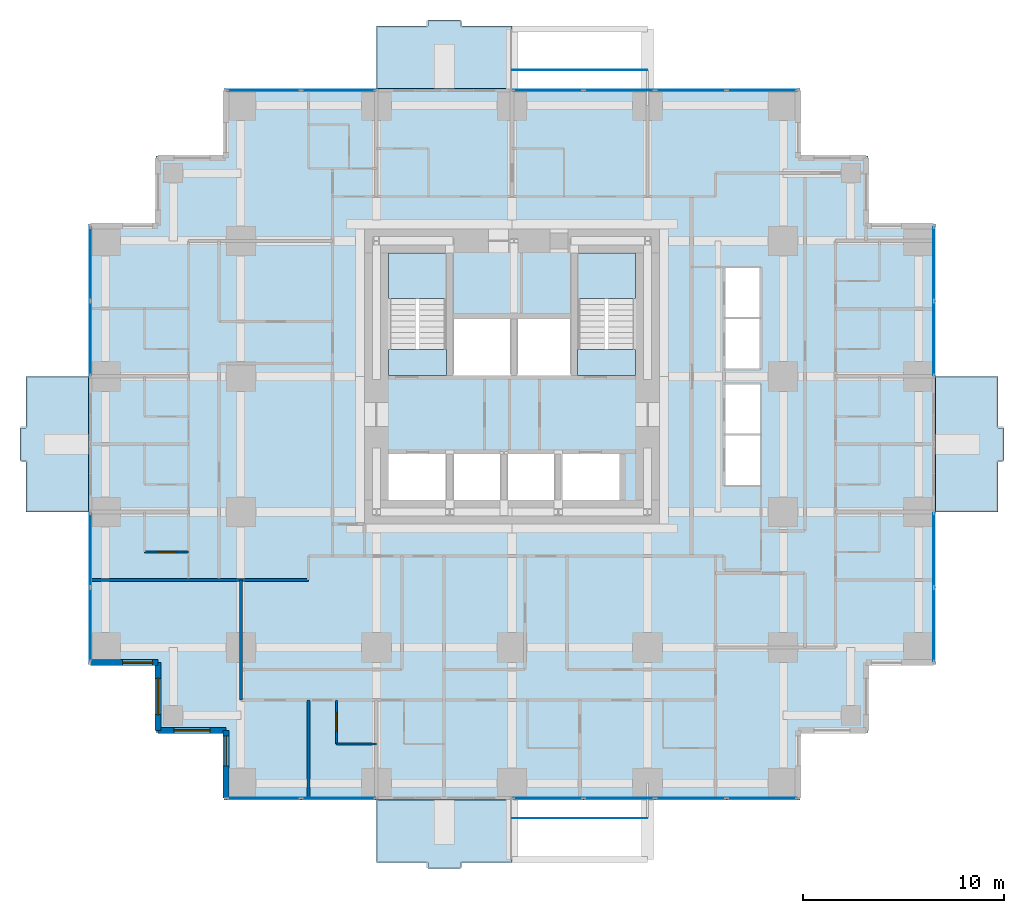
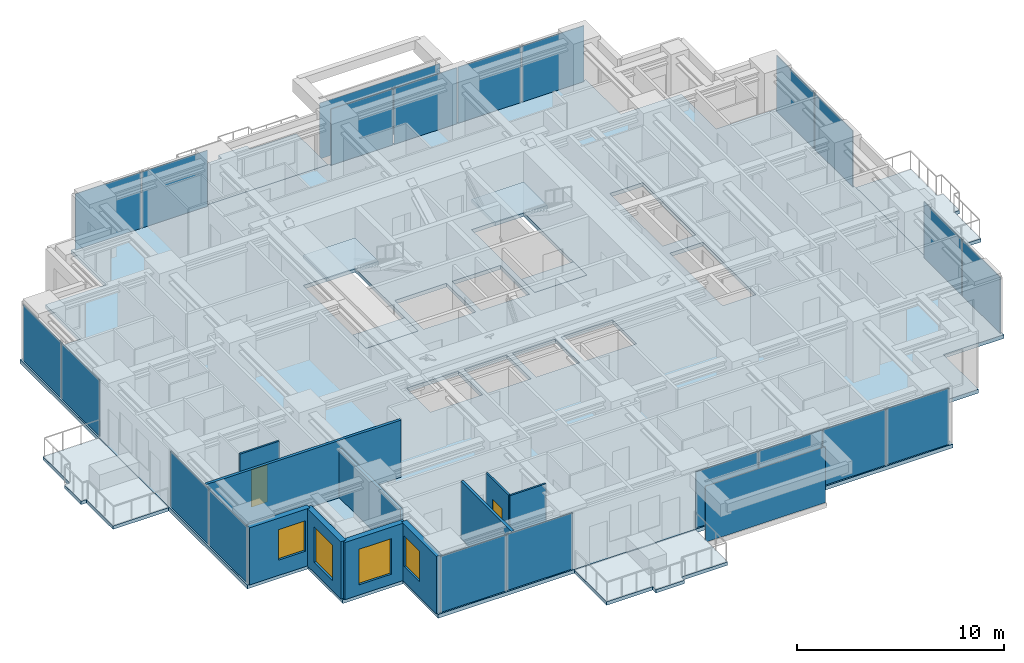
# One storey, part 6 of 13: 22 plates, 10 walls, 9 slabs, 4 windows, 2 doors, 6 openings, 10 elements without a shape of their own.
"""IFC4 building model written with IfcOpenShell, lengths in metres."""

from ifc_helpers import new_model, si_unit, direction, frame, frame_2d, origin, origin_2d, place, context, subcontext, project, spatial, polyline, rectangle, outline, extrude, material, layer, layer_set, type_object, element, fill, aggregate, save


model = new_model("IFC4")

# Units and contexts
model_context = context("Model", 3, precision=1e-05, world=origin(), true_north=direction((0.0, 1.0)))
body_context = subcontext(model_context, "Body", "Model", "MODEL_VIEW")
ifc_project = project(units=[si_unit("LENGTHUNIT", "METRE"), si_unit("AREAUNIT", "SQUARE_METRE"), si_unit("VOLUMEUNIT", "CUBIC_METRE"), si_unit("PLANEANGLEUNIT", "RADIAN"), si_unit("MASSUNIT", "GRAM", prefix="KILO")], contexts=[model_context])

# Site, building, storey
site_placement = place(None, origin())
site = spatial("IfcSite", under=ifc_project, at=site_placement, CompositionType="ELEMENT")
building_placement = place(site_placement, origin())
building = spatial("IfcBuilding", under=site, at=building_placement, Name="Nyansa Garden Tower", CompositionType="ELEMENT")
storey_placement = place(building_placement, frame((0.0, 0.0, 130.5)))
storey = spatial("IfcBuildingStorey", under=building, at=storey_placement, Name="L35", CompositionType="ELEMENT", Elevation=130.5)

# Slabs
ifc_material_1 = material(Name="Concrete C40/50", Category="concrete")
ifc_layer_1 = layer(ifc_material_1, 0.199951171875)
ifc_layer_set_1 = layer_set([ifc_layer_1], Name="Balcony slab BS200")
slab_type_1 = type_object("IfcSlabType", Name="Balcony slab BS200", PredefinedType="FLOOR", material=ifc_layer_set_1)
slab_1_placement = place(storey_placement, frame((0.0, 0.0, -0.239990234375)))
element("IfcSlab", 1, at=slab_1_placement, inside=storey, type_object=slab_type_1, Name="Balcony L35 S", PredefinedType="FLOOR", context=body_context, shape_type="SweptSolid", body=[
    extrude(outline(polyline([(13.5, -0.85009765625), (20.25, -0.85009765625), (20.25, -3.949951171875), (17.675048828125, -3.949951171875), (17.675048828125, -4.25), (16.074951171875, -4.25), (16.074951171875, -3.949951171875), (13.5, -3.949951171875), (13.5, -0.85009765625)])), origin(), (0.0, 0.0, 1.0), 0.199951171875),
])
slab_2_placement = place(storey_placement, frame((0.0, 0.0, -0.239990234375)))
element("IfcSlab", 2, at=slab_2_placement, inside=storey, type_object=slab_type_1, Name="Balcony L35 E", PredefinedType="FLOOR", context=body_context, shape_type="SweptSolid", body=[
    extrude(outline(polyline([(41.35009765625, 13.5), (41.35009765625, 20.25), (44.449951171875, 20.25), (44.449951171875, 17.675048828125), (44.75, 17.675048828125), (44.75, 16.074951171875), (44.449951171875, 16.074951171875), (44.449951171875, 13.5), (41.35009765625, 13.5)])), origin(), (0.0, 0.0, 1.0), 0.199951171875),
])
slab_3_placement = place(storey_placement, frame((0.0, 0.0, -0.239990234375)))
element("IfcSlab", 3, at=slab_3_placement, inside=storey, type_object=slab_type_1, Name="Balcony L35 N", PredefinedType="FLOOR", context=body_context, shape_type="SweptSolid", body=[
    extrude(outline(polyline([(13.5, 34.60009765625), (20.25, 34.60009765625), (20.25, 37.699951171875), (17.675048828125, 37.699951171875), (17.675048828125, 38.0), (16.074951171875, 38.0), (16.074951171875, 37.699951171875), (13.5, 37.699951171875), (13.5, 34.60009765625)])), origin(), (0.0, 0.0, 1.0), 0.199951171875),
])
slab_4_placement = place(storey_placement, frame((0.0, 0.0, -0.239990234375)))
element("IfcSlab", 4, at=slab_4_placement, inside=storey, type_object=slab_type_1, Name="Balcony L35 W", PredefinedType="FLOOR", context=body_context, shape_type="SweptSolid", body=[
    extrude(outline(polyline([(-0.85009765625, 13.5), (-0.85009765625, 20.25), (-3.949951171875, 20.25), (-3.949951171875, 17.675048828125), (-4.25, 17.675048828125), (-4.25, 16.074951171875), (-3.949951171875, 16.074951171875), (-3.949951171875, 13.5), (-0.85009765625, 13.5)])), origin(), (0.0, 0.0, 1.0), 0.199951171875),
])

# Curtain wall, plates
ifc_material_2 = material(Name="Black anodised aluminium, dark tinted double glazing", Category="aluminium")
curtain_wall_type = type_object("IfcCurtainWallType", Name="Inner skin curtain wall ISW-B", PredefinedType="USERDEFINED", material=ifc_material_2)
curtain_wall_1_placement = place(storey_placement, origin())
curtain_wall_1 = element("IfcCurtainWall", 5, at=curtain_wall_1_placement, inside=storey, type_object=curtain_wall_type, Name="Inner skin curtain wall L35 E", ObjectType="UNITISED CURTAIN WALL", PredefinedType="USERDEFINED")
ifc_material_3 = material(Name="Dark tinted laminated double glazing", Category="glass")
ifc_layer_2 = layer(ifc_material_3, 0.035888671875)
ifc_layer_set_2 = layer_set([ifc_layer_2], Name="Dark tinted vision panel VP-B")
plate_type_1 = type_object("IfcPlateType", Name="Dark tinted vision panel VP-B", PredefinedType="CURTAIN_PANEL", material=ifc_layer_set_2)
plate_1_placement = place(storey_placement, frame((41.25, 7.891357421875, 0.0), z_axis=(0.0, 0.0, 1.0), x_axis=(0.0, 1.0, 0.0)))
plate_1 = element("IfcPlate", 6, at=plate_1_placement, type_object=plate_type_1, Name="ISW-B panel 1", PredefinedType="CURTAIN_PANEL", context=body_context, shape_type="SweptSolid", body=[
    extrude(rectangle(XDim=3.652587890625, YDim=0.035888671875, at=origin_2d()), origin(), (0.0, 0.0, 1.0), 3.31005859375),
])
plate_2_placement = place(storey_placement, frame((41.25, 11.608642578125, 0.0), z_axis=(0.0, 0.0, 1.0), x_axis=(0.0, 1.0, 0.0)))
plate_2 = element("IfcPlate", 7, at=plate_2_placement, type_object=plate_type_1, Name="ISW-B panel 2", PredefinedType="CURTAIN_PANEL", context=body_context, shape_type="SweptSolid", body=[
    extrude(rectangle(XDim=3.652587890625, YDim=0.035888671875, at=origin_2d()), origin(), (0.0, 0.0, 1.0), 3.31005859375),
])
aggregate(curtain_wall_1, [plate_1, plate_2])

curtain_wall_2_placement = place(storey_placement, origin())
curtain_wall_2 = element("IfcCurtainWall", 8, at=curtain_wall_2_placement, inside=storey, type_object=curtain_wall_type, Name="Inner skin curtain wall L35 E", ObjectType="UNITISED CURTAIN WALL", PredefinedType="USERDEFINED")
plate_3_placement = place(storey_placement, frame((41.25, 22.141357421875, 0.0), z_axis=(0.0, 0.0, 1.0), x_axis=(0.0, 1.0, 0.0)))
plate_3 = element("IfcPlate", 9, at=plate_3_placement, type_object=plate_type_1, Name="ISW-B panel 1", PredefinedType="CURTAIN_PANEL", context=body_context, shape_type="SweptSolid", body=[
    extrude(rectangle(XDim=3.652587890625, YDim=0.035888671875, at=origin_2d()), origin(), (0.0, 0.0, 1.0), 3.31005859375),
])
plate_4_placement = place(storey_placement, frame((41.25, 25.858642578125, 0.0), z_axis=(0.0, 0.0, 1.0), x_axis=(0.0, 1.0, 0.0)))
plate_4 = element("IfcPlate", 10, at=plate_4_placement, type_object=plate_type_1, Name="ISW-B panel 2", PredefinedType="CURTAIN_PANEL", context=body_context, shape_type="SweptSolid", body=[
    extrude(rectangle(XDim=3.652587890625, YDim=0.035888671875, at=origin_2d()), origin(), (0.0, 0.0, 1.0), 3.31005859375),
])
aggregate(curtain_wall_2, [plate_3, plate_4])

curtain_wall_3_placement = place(storey_placement, origin())
curtain_wall_3 = element("IfcCurtainWall", 11, at=curtain_wall_3_placement, inside=storey, type_object=curtain_wall_type, Name="Inner skin curtain wall L35 N", ObjectType="UNITISED CURTAIN WALL", PredefinedType="USERDEFINED")
plate_5_placement = place(storey_placement, frame((11.608642578125, 34.5, 0.0), z_axis=(0.0, 0.0, 1.0), x_axis=(-1.0, 0.0, 0.0)))
plate_5 = element("IfcPlate", 12, at=plate_5_placement, type_object=plate_type_1, Name="ISW-B panel 1", PredefinedType="CURTAIN_PANEL", context=body_context, shape_type="SweptSolid", body=[
    extrude(rectangle(XDim=3.652587890625, YDim=0.035888671875, at=origin_2d()), origin(), (0.0, 0.0, 1.0), 3.31005859375),
])
plate_6_placement = place(storey_placement, frame((7.891357421875, 34.5, 0.0), z_axis=(0.0, 0.0, 1.0), x_axis=(-1.0, 0.0, 0.0)))
plate_6 = element("IfcPlate", 13, at=plate_6_placement, type_object=plate_type_1, Name="ISW-B panel 2", PredefinedType="CURTAIN_PANEL", context=body_context, shape_type="SweptSolid", body=[
    extrude(rectangle(XDim=3.652587890625, YDim=0.035888671875, at=origin_2d()), origin(), (0.0, 0.0, 1.0), 3.31005859375),
])
aggregate(curtain_wall_3, [plate_5, plate_6])

curtain_wall_4_placement = place(storey_placement, origin())
curtain_wall_4 = element("IfcCurtainWall", 14, at=curtain_wall_4_placement, inside=storey, type_object=curtain_wall_type, Name="Inner skin curtain wall L35 N", ObjectType="UNITISED CURTAIN WALL", PredefinedType="USERDEFINED")
plate_7_placement = place(storey_placement, frame((32.702392578125, 34.5, 0.0), z_axis=(0.0, 0.0, 1.0), x_axis=(-1.0, 0.0, 0.0)))
plate_7 = element("IfcPlate", 15, at=plate_7_placement, type_object=plate_type_1, Name="ISW-B panel 1", PredefinedType="CURTAIN_PANEL", context=body_context, shape_type="SweptSolid", body=[
    extrude(rectangle(XDim=3.465087890625, YDim=0.035888671875, at=origin_2d()), origin(), (0.0, 0.0, 1.0), 3.31005859375),
])
plate_8_placement = place(storey_placement, frame((29.15625, 34.5, 0.0), z_axis=(0.0, 0.0, 1.0), x_axis=(-1.0, 0.0, 0.0)))
plate_8 = element("IfcPlate", 16, at=plate_8_placement, type_object=plate_type_1, Name="ISW-B panel 2", PredefinedType="CURTAIN_PANEL", context=body_context, shape_type="SweptSolid", body=[
    extrude(rectangle(XDim=3.49755859375, YDim=0.035888671875, at=origin_2d()), origin(), (0.0, 0.0, 1.0), 3.31005859375),
])
plate_9_placement = place(storey_placement, frame((25.59375, 34.5, 0.0), z_axis=(0.0, 0.0, 1.0), x_axis=(-1.0, 0.0, 0.0)))
plate_9 = element("IfcPlate", 17, at=plate_9_placement, type_object=plate_type_1, Name="ISW-B panel 3", PredefinedType="CURTAIN_PANEL", context=body_context, shape_type="SweptSolid", body=[
    extrude(rectangle(XDim=3.49755859375, YDim=0.035888671875, at=origin_2d()), origin(), (0.0, 0.0, 1.0), 3.31005859375),
])
plate_10_placement = place(storey_placement, frame((22.047607421875, 34.5, 0.0), z_axis=(0.0, 0.0, 1.0), x_axis=(-1.0, 0.0, 0.0)))
plate_10 = element("IfcPlate", 18, at=plate_10_placement, type_object=plate_type_1, Name="ISW-B panel 4", PredefinedType="CURTAIN_PANEL", context=body_context, shape_type="SweptSolid", body=[
    extrude(rectangle(XDim=3.465087890625, YDim=0.035888671875, at=origin_2d()), origin(), (0.0, 0.0, 1.0), 3.31005859375),
])
aggregate(curtain_wall_4, [plate_7, plate_8, plate_9, plate_10])

curtain_wall_5_placement = place(storey_placement, origin())
curtain_wall_5 = element("IfcCurtainWall", 19, at=curtain_wall_5_placement, inside=storey, type_object=curtain_wall_type, Name="Inner skin curtain wall L35 W", ObjectType="UNITISED CURTAIN WALL", PredefinedType="USERDEFINED")
plate_11_placement = place(storey_placement, frame((-0.75, 11.608642578125, 0.0), z_axis=(0.0, 0.0, 1.0), x_axis=(0.0, -1.0, 0.0)))
plate_11 = element("IfcPlate", 20, at=plate_11_placement, type_object=plate_type_1, Name="ISW-B panel 1", PredefinedType="CURTAIN_PANEL", context=body_context, shape_type="SweptSolid", body=[
    extrude(rectangle(XDim=3.652587890625, YDim=0.035888671875, at=origin_2d()), origin(), (0.0, 0.0, 1.0), 3.31005859375),
])
plate_12_placement = place(storey_placement, frame((-0.75, 7.891357421875, 0.0), z_axis=(0.0, 0.0, 1.0), x_axis=(0.0, -1.0, 0.0)))
plate_12 = element("IfcPlate", 21, at=plate_12_placement, type_object=plate_type_1, Name="ISW-B panel 2", PredefinedType="CURTAIN_PANEL", context=body_context, shape_type="SweptSolid", body=[
    extrude(rectangle(XDim=3.652587890625, YDim=0.035888671875, at=origin_2d()), origin(), (0.0, 0.0, 1.0), 3.31005859375),
])
aggregate(curtain_wall_5, [plate_11, plate_12])

curtain_wall_6_placement = place(storey_placement, origin())
curtain_wall_6 = element("IfcCurtainWall", 22, at=curtain_wall_6_placement, inside=storey, type_object=curtain_wall_type, Name="Inner skin curtain wall L35 W", ObjectType="UNITISED CURTAIN WALL", PredefinedType="USERDEFINED")
plate_13_placement = place(storey_placement, frame((-0.75, 25.858642578125, 0.0), z_axis=(0.0, 0.0, 1.0), x_axis=(0.0, -1.0, 0.0)))
plate_13 = element("IfcPlate", 23, at=plate_13_placement, type_object=plate_type_1, Name="ISW-B panel 1", PredefinedType="CURTAIN_PANEL", context=body_context, shape_type="SweptSolid", body=[
    extrude(rectangle(XDim=3.652587890625, YDim=0.035888671875, at=origin_2d()), origin(), (0.0, 0.0, 1.0), 3.31005859375),
])
plate_14_placement = place(storey_placement, frame((-0.75, 22.141357421875, 0.0), z_axis=(0.0, 0.0, 1.0), x_axis=(0.0, -1.0, 0.0)))
plate_14 = element("IfcPlate", 24, at=plate_14_placement, type_object=plate_type_1, Name="ISW-B panel 2", PredefinedType="CURTAIN_PANEL", context=body_context, shape_type="SweptSolid", body=[
    extrude(rectangle(XDim=3.652587890625, YDim=0.035888671875, at=origin_2d()), origin(), (0.0, 0.0, 1.0), 3.31005859375),
])
aggregate(curtain_wall_6, [plate_13, plate_14])

curtain_wall_7_placement = place(storey_placement, origin())
curtain_wall_7 = element("IfcCurtainWall", 25, at=curtain_wall_7_placement, inside=storey, type_object=curtain_wall_type, Name="Inner skin curtain wall L35 S", ObjectType="UNITISED CURTAIN WALL", PredefinedType="USERDEFINED")
plate_15_placement = place(storey_placement, frame((7.891357421875, -0.75, 0.0), z_axis=(0.0, 0.0, 1.0), x_axis=(1.0, 0.0, 0.0)))
plate_15 = element("IfcPlate", 26, at=plate_15_placement, type_object=plate_type_1, Name="ISW-B panel 1", PredefinedType="CURTAIN_PANEL", context=body_context, shape_type="SweptSolid", body=[
    extrude(rectangle(XDim=3.652587890625, YDim=0.035888671875, at=origin_2d()), origin(), (0.0, 0.0, 1.0), 3.31005859375),
])
plate_16_placement = place(storey_placement, frame((11.608642578125, -0.75, 0.0), z_axis=(0.0, 0.0, 1.0), x_axis=(1.0, 0.0, 0.0)))
plate_16 = element("IfcPlate", 27, at=plate_16_placement, type_object=plate_type_1, Name="ISW-B panel 2", PredefinedType="CURTAIN_PANEL", context=body_context, shape_type="SweptSolid", body=[
    extrude(rectangle(XDim=3.652587890625, YDim=0.035888671875, at=origin_2d()), origin(), (0.0, 0.0, 1.0), 3.31005859375),
])
aggregate(curtain_wall_7, [plate_15, plate_16])

curtain_wall_8_placement = place(storey_placement, origin())
curtain_wall_8 = element("IfcCurtainWall", 28, at=curtain_wall_8_placement, inside=storey, type_object=curtain_wall_type, Name="Inner skin curtain wall L35 S", ObjectType="UNITISED CURTAIN WALL", PredefinedType="USERDEFINED")
plate_17_placement = place(storey_placement, frame((22.047607421875, -0.75, 0.0), z_axis=(0.0, 0.0, 1.0), x_axis=(1.0, 0.0, 0.0)))
plate_17 = element("IfcPlate", 29, at=plate_17_placement, type_object=plate_type_1, Name="ISW-B panel 1", PredefinedType="CURTAIN_PANEL", context=body_context, shape_type="SweptSolid", body=[
    extrude(rectangle(XDim=3.465087890625, YDim=0.035888671875, at=origin_2d()), origin(), (0.0, 0.0, 1.0), 3.31005859375),
])
plate_18_placement = place(storey_placement, frame((25.59375, -0.75, 0.0), z_axis=(0.0, 0.0, 1.0), x_axis=(1.0, 0.0, 0.0)))
plate_18 = element("IfcPlate", 30, at=plate_18_placement, type_object=plate_type_1, Name="ISW-B panel 2", PredefinedType="CURTAIN_PANEL", context=body_context, shape_type="SweptSolid", body=[
    extrude(rectangle(XDim=3.49755859375, YDim=0.035888671875, at=origin_2d()), origin(), (0.0, 0.0, 1.0), 3.31005859375),
])
plate_19_placement = place(storey_placement, frame((29.15625, -0.75, 0.0), z_axis=(0.0, 0.0, 1.0), x_axis=(1.0, 0.0, 0.0)))
plate_19 = element("IfcPlate", 31, at=plate_19_placement, type_object=plate_type_1, Name="ISW-B panel 3", PredefinedType="CURTAIN_PANEL", context=body_context, shape_type="SweptSolid", body=[
    extrude(rectangle(XDim=3.49755859375, YDim=0.035888671875, at=origin_2d()), origin(), (0.0, 0.0, 1.0), 3.31005859375),
])
plate_20_placement = place(storey_placement, frame((32.702392578125, -0.75, 0.0), z_axis=(0.0, 0.0, 1.0), x_axis=(1.0, 0.0, 0.0)))
plate_20 = element("IfcPlate", 32, at=plate_20_placement, type_object=plate_type_1, Name="ISW-B panel 4", PredefinedType="CURTAIN_PANEL", context=body_context, shape_type="SweptSolid", body=[
    extrude(rectangle(XDim=3.465087890625, YDim=0.035888671875, at=origin_2d()), origin(), (0.0, 0.0, 1.0), 3.31005859375),
])
aggregate(curtain_wall_8, [plate_17, plate_18, plate_19, plate_20])

# Slab
ifc_material_4 = material(Name="Concrete C40/50", Category="concrete")
ifc_layer_3 = layer(ifc_material_4, 0.22509765625)
ifc_layer_set_3 = layer_set([ifc_layer_3], Name="Floor slab FS225")
slab_type_2 = type_object("IfcSlabType", Name="Floor slab FS225", PredefinedType="FLOOR", material=ifc_layer_set_3)
slab_5_placement = place(storey_placement, frame((0.0, 0.0, -0.22509765625)))
element("IfcSlab", 33, at=slab_5_placement, inside=storey, type_object=slab_type_2, Name="Floor slab L35", PredefinedType="FLOOR", context=body_context, shape_type="SweptSolid", body=[
    extrude(outline(polyline([(41.35009765625, 5.89990234375), (37.97509765625, 5.89990234375), (37.97509765625, 2.52490234375), (34.60009765625, 2.52490234375), (34.60009765625, -0.85009765625), (5.89990234375, -0.85009765625), (5.89990234375, 2.52490234375), (2.52490234375, 2.52490234375), (2.52490234375, 5.89990234375), (-0.85009765625, 5.89990234375), (-0.85009765625, 27.85009765625), (2.52490234375, 27.85009765625), (2.52490234375, 31.22509765625), (5.89990234375, 31.22509765625), (5.89990234375, 34.60009765625), (34.60009765625, 34.60009765625), (34.60009765625, 31.22509765625), (37.97509765625, 31.22509765625), (37.97509765625, 27.85009765625), (41.35009765625, 27.85009765625), (41.35009765625, 5.89990234375)]), holes=[polyline([(14.10009765625, 14.10009765625), (17.0, 14.10009765625), (17.0, 16.39990234375), (14.10009765625, 16.39990234375), (14.10009765625, 14.10009765625)]), polyline([(17.300048828125, 14.10009765625), (19.699951171875, 14.10009765625), (19.699951171875, 16.39990234375), (17.300048828125, 16.39990234375), (17.300048828125, 14.10009765625)]), polyline([(20.0, 14.10009765625), (22.39990234375, 14.10009765625), (22.39990234375, 16.39990234375), (20.0, 16.39990234375), (20.0, 14.10009765625)]), polyline([(22.699951171875, 14.10009765625), (25.60009765625, 14.10009765625), (25.60009765625, 16.39990234375), (22.699951171875, 16.39990234375), (22.699951171875, 14.10009765625)]), polyline([(17.300048828125, 20.300048828125), (20.199951171875, 20.300048828125), (20.199951171875, 23.10009765625), (17.300048828125, 23.10009765625), (17.300048828125, 20.300048828125)]), polyline([(20.5, 20.300048828125), (23.199951171875, 20.300048828125), (23.199951171875, 23.10009765625), (20.5, 23.10009765625), (20.5, 20.300048828125)]), polyline([(30.800048828125, 14.800048828125), (32.64990234375, 14.800048828125), (32.64990234375, 19.89990234375), (30.800048828125, 19.89990234375), (30.800048828125, 14.800048828125)]), polyline([(30.800048828125, 20.60009765625), (32.64990234375, 20.60009765625), (32.64990234375, 25.699951171875), (30.800048828125, 25.699951171875), (30.800048828125, 20.60009765625)]), polyline([(14.10009765625, 20.300048828125), (17.0, 20.300048828125), (17.0, 26.39990234375), (14.10009765625, 26.39990234375), (14.10009765625, 20.300048828125)]), polyline([(23.5, 20.300048828125), (26.39990234375, 20.300048828125), (26.39990234375, 26.39990234375), (23.5, 26.39990234375), (23.5, 20.300048828125)])]), origin(), (0.0, 0.0, 1.0), 0.22509765625),
])

# Plates
ifc_material_5 = material(Name="Dark tinted laminated glass", Category="glass")
ifc_layer_4 = layer(ifc_material_5, 0.02392578125)
ifc_layer_set_4 = layer_set([ifc_layer_4], Name="Outer skin glass panel OS1")
plate_type_2 = type_object("IfcPlateType", Name="Outer skin glass panel OS1", PredefinedType="USERDEFINED", material=ifc_layer_set_4)
for number, where, z_axis, x_axis, name in (
    (34, (23.625, 35.5, -0.22509765625), (0.0, 0.0, 1.0), (1.0, 0.0, 0.0), "Outer skin glass panel L35"),
    (35, (23.625, -1.75, -0.22509765625), (0.0, 0.0, 1.0), (1.0, 0.0, 0.0), "Outer skin glass panel L35"),
):
    element("IfcPlate", number, at=place(storey_placement, frame(where, z_axis=z_axis, x_axis=x_axis)), inside=storey, type_object=plate_type_2, Name=name, ObjectType="OUTER SKIN GLASS", PredefinedType="USERDEFINED", context=body_context, shape_type="SweptSolid", body=[
        extrude(rectangle(XDim=6.7099609375, YDim=0.02392578125, at=origin_2d()), origin(), (0.0, 0.0, 1.0), 3.300048828125),
    ])

# Stair, slabs
ifc_material_6 = material(Name="Precast concrete C40/50", Category="concrete")
stair_type_1 = type_object("IfcStairType", Name="Stair S1 180x280", PredefinedType="HALF_TURN_STAIR", material=ifc_material_6)
stair_1_placement = place(storey_placement, origin())
stair_1 = element("IfcStair", 36, at=stair_1_placement, inside=storey, type_object=stair_type_1, Name="Stair S1 L35", PredefinedType="HALF_TURN_STAIR")
ifc_material_7 = material(Name="Concrete C40/50", Category="concrete")
ifc_layer_5 = layer(ifc_material_7, 0.199951171875)
ifc_layer_set_5 = layer_set([ifc_layer_5], Name="Stair landing SL200")
slab_type_3 = type_object("IfcSlabType", Name="Stair landing SL200", PredefinedType="LANDING", material=ifc_layer_set_5)
slab_6_placement = place(storey_placement, frame((0.0, 0.0, -0.199951171875)))
slab_6 = element("IfcSlab", 37, at=slab_6_placement, type_object=slab_type_3, Name="S1 landing 1", PredefinedType="LANDING", context=body_context, shape_type="SweptSolid", body=[
    extrude(outline(polyline([(14.10009765625, 20.300048828125), (17.0, 20.300048828125), (17.0, 21.60009765625), (14.10009765625, 21.60009765625), (14.10009765625, 20.300048828125)])), origin(), (0.0, 0.0, 1.0), 0.199951171875),
])
slab_7_placement = place(storey_placement, frame((0.0, 0.0, 1.60009765625)))
slab_7 = element("IfcSlab", 38, at=slab_7_placement, type_object=slab_type_3, Name="S1 landing 2", PredefinedType="LANDING", context=body_context, shape_type="SweptSolid", body=[
    extrude(outline(polyline([(14.10009765625, 24.1201171875), (17.0, 24.1201171875), (17.0, 26.39990234375), (14.10009765625, 26.39990234375), (14.10009765625, 24.1201171875)])), origin(), (0.0, 0.0, 1.0), 0.199951171875),
])
aggregate(stair_1, [slab_6, slab_7])

ifc_material_8 = material(Name="Precast concrete C40/50", Category="concrete")
stair_type_2 = type_object("IfcStairType", Name="Stair S2 180x280", PredefinedType="HALF_TURN_STAIR", material=ifc_material_8)
stair_2_placement = place(storey_placement, origin())
stair_2 = element("IfcStair", 39, at=stair_2_placement, inside=storey, type_object=stair_type_2, Name="Stair S2 L35", PredefinedType="HALF_TURN_STAIR")
slab_8_placement = place(storey_placement, frame((0.0, 0.0, -0.199951171875)))
slab_8 = element("IfcSlab", 40, at=slab_8_placement, type_object=slab_type_3, Name="S2 landing 1", PredefinedType="LANDING", context=body_context, shape_type="SweptSolid", body=[
    extrude(outline(polyline([(23.5, 20.300048828125), (26.39990234375, 20.300048828125), (26.39990234375, 21.60009765625), (23.5, 21.60009765625), (23.5, 20.300048828125)])), origin(), (0.0, 0.0, 1.0), 0.199951171875),
])
slab_9_placement = place(storey_placement, frame((0.0, 0.0, 1.60009765625)))
slab_9 = element("IfcSlab", 41, at=slab_9_placement, type_object=slab_type_3, Name="S2 landing 2", PredefinedType="LANDING", context=body_context, shape_type="SweptSolid", body=[
    extrude(outline(polyline([(23.5, 24.1201171875), (26.39990234375, 24.1201171875), (26.39990234375, 26.39990234375), (23.5, 26.39990234375), (23.5, 24.1201171875)])), origin(), (0.0, 0.0, 1.0), 0.199951171875),
])
aggregate(stair_2, [slab_8, slab_9])

# Walls
ifc_material_9 = material(Name="Blockwork, plastered both sides", Category="masonry")
ifc_layer_6 = layer(ifc_material_9, 0.14990234375)
ifc_layer_set_6 = layer_set([ifc_layer_6], Name="Partition PW150")
wall_type_1 = type_object("IfcWallType", Name="Partition PW150", PredefinedType="PARTITIONING", material=ifc_layer_set_6)
wall_1_placement = place(storey_placement, frame((-0.73388671875, 10.125, 0.0), z_axis=(0.0, 0.0, 1.0), x_axis=(1.0, 0.0, 0.0)))
element("IfcWall", 42, at=wall_1_placement, inside=storey, type_object=wall_type_1, Name="Partition", PredefinedType="PARTITIONING", context=body_context, shape_type="SweptSolid", body=[
    extrude(rectangle(XDim=10.85888671875, YDim=0.14990234375, at=frame_2d((5.429443359375, 0.0))), origin(), (0.0, 0.0, 1.0), 3.375),
])
wall_2_placement = place(storey_placement, frame((6.75, 4.14990234375, 0.0), z_axis=(0.0, 0.0, 1.0), x_axis=(0.0, 1.0, 0.0)))
element("IfcWall", 43, at=wall_2_placement, inside=storey, type_object=wall_type_1, Name="Partition", PredefinedType="PARTITIONING", context=body_context, shape_type="SweptSolid", body=[
    extrude(rectangle(XDim=5.97509765625, YDim=0.14990234375, at=frame_2d((2.987548828125, 0.0))), origin(), (0.0, 0.0, 1.0), 2.876953125),
])
wall_3_placement = place(storey_placement, frame((10.125, -0.73388671875, 0.0), z_axis=(0.0, 0.0, 1.0), x_axis=(0.0, 1.0, 0.0)))
element("IfcWall", 44, at=wall_3_placement, inside=storey, type_object=wall_type_1, Name="Partition", PredefinedType="PARTITIONING", context=body_context, shape_type="SweptSolid", body=[
    extrude(rectangle(XDim=4.8837890625, YDim=0.14990234375, at=frame_2d((2.44189453125, 0.0))), origin(), (0.0, 0.0, 1.0), 3.375),
])

# Wall, opening, window
ifc_material_10 = material(Name="Turquoise glazed tile on concrete blockwork", Category="masonry")
ifc_layer_7 = layer(ifc_material_10, 0.300048828125)
ifc_layer_set_7 = layer_set([ifc_layer_7], Name="Tiled corner wall TW300")
wall_type_2 = type_object("IfcWallType", Name="Tiled corner wall TW300", PredefinedType="SOLIDWALL", material=ifc_layer_set_7)
wall_4_placement = place(storey_placement, frame((-0.75, 6.0, 0.0), z_axis=(0.0, 0.0, 1.0), x_axis=(1.0, 0.0, 0.0)))
wall_4 = element("IfcWall", 45, at=wall_4_placement, inside=storey, type_object=wall_type_2, Name="Tiled corner wall L35", PredefinedType="SOLIDWALL", context=body_context, shape_type="SweptSolid", body=[
    extrude(rectangle(XDim=3.375, YDim=0.300048828125, at=frame_2d((1.6875, 0.0))), origin(), (0.0, 0.0, 1.0), 3.375),
])
opening_1_placement = place(wall_4_placement, frame((1.607421875, 0.0, 0.89990234375)))
opening_1 = element("IfcOpeningElement", 46, at=opening_1_placement, cuts=wall_4, Name="Opening W1", PredefinedType="OPENING", context=body_context, shape_type="SweptSolid", body=[
    extrude(rectangle(XDim=1.5, YDim=1.800048828125, at=frame_2d((0.75, 0.89990234375))), frame((0.0, 0.159912109375, 0.0), z_axis=(0.0, -1.0, 0.0), x_axis=(1.0, 0.0, 0.0)), (0.0, 0.0, 1.0), 0.320068359375),
])
ifc_material_11 = material(Name="Black aluminium frame, dark tinted double glazing", Category="aluminium")
window_type_1 = type_object("IfcWindowType", Name="Window W1 1500x1800", PartitioningType="SINGLE_PANEL", PredefinedType="WINDOW", material=ifc_material_11)
window_1_placement = place(opening_1_placement, origin())
window_1 = element("IfcWindow", 47, at=window_1_placement, inside=storey, type_object=window_type_1, Name="Corner window L35", OverallHeight=1.800048828125, OverallWidth=1.5, PartitioningType="SINGLE_PANEL", PredefinedType="WINDOW", context=body_context, shape_type="SweptSolid", body=[
    extrude(rectangle(XDim=1.5, YDim=1.800048828125, at=frame_2d((0.75, 0.89990234375))), frame((0.0, 0.030029296875, 0.0), z_axis=(0.0, -1.0, 0.0), x_axis=(1.0, 0.0, 0.0)), (0.0, 0.0, 1.0), 0.06005859375),
])
fill(opening_1, window_1)

wall_5_placement = place(storey_placement, frame((2.625, 6.0, 0.0), z_axis=(0.0, 0.0, 1.0), x_axis=(0.0, -1.0, 0.0)))
wall_5 = element("IfcWall", 48, at=wall_5_placement, inside=storey, type_object=wall_type_2, Name="Tiled corner wall L35", PredefinedType="SOLIDWALL", context=body_context, shape_type="SweptSolid", body=[
    extrude(rectangle(XDim=3.375, YDim=0.300048828125, at=frame_2d((1.6875, 0.0))), origin(), (0.0, 0.0, 1.0), 3.375),
])
opening_2_placement = place(wall_5_placement, frame((0.78759765625, 0.0, 0.60009765625)))
opening_2 = element("IfcOpeningElement", 49, at=opening_2_placement, cuts=wall_5, Name="Opening W2", PredefinedType="OPENING", context=body_context, shape_type="SweptSolid", body=[
    extrude(rectangle(XDim=1.800048828125, YDim=2.10009765625, at=frame_2d((0.89990234375, 1.050048828125))), frame((0.0, 0.159912109375, 0.0), z_axis=(0.0, -1.0, 0.0), x_axis=(1.0, 0.0, 0.0)), (0.0, 0.0, 1.0), 0.320068359375),
])
ifc_material_12 = material(Name="Black aluminium frame, dark tinted double glazing", Category="aluminium")
window_type_2 = type_object("IfcWindowType", Name="Window W2 1800x2100", PartitioningType="SINGLE_PANEL", PredefinedType="WINDOW", material=ifc_material_12)
window_2_placement = place(opening_2_placement, origin())
window_2 = element("IfcWindow", 50, at=window_2_placement, inside=storey, type_object=window_type_2, Name="Corner window L35", OverallHeight=2.10009765625, OverallWidth=1.800048828125, PartitioningType="SINGLE_PANEL", PredefinedType="WINDOW", context=body_context, shape_type="SweptSolid", body=[
    extrude(rectangle(XDim=1.800048828125, YDim=2.10009765625, at=frame_2d((0.89990234375, 1.050048828125))), frame((0.0, 0.030029296875, 0.0), z_axis=(0.0, -1.0, 0.0), x_axis=(1.0, 0.0, 0.0)), (0.0, 0.0, 1.0), 0.06005859375),
])
fill(opening_2, window_2)

wall_6_placement = place(storey_placement, frame((2.625, 2.625, 0.0), z_axis=(0.0, 0.0, 1.0), x_axis=(1.0, 0.0, 0.0)))
wall_6 = element("IfcWall", 51, at=wall_6_placement, inside=storey, type_object=wall_type_2, Name="Tiled corner wall L35", PredefinedType="SOLIDWALL", context=body_context, shape_type="SweptSolid", body=[
    extrude(rectangle(XDim=3.375, YDim=0.300048828125, at=frame_2d((1.6875, 0.0))), origin(), (0.0, 0.0, 1.0), 3.375),
])
opening_3_placement = place(wall_6_placement, frame((0.78759765625, 0.0, 0.60009765625)))
opening_3 = element("IfcOpeningElement", 52, at=opening_3_placement, cuts=wall_6, Name="Opening W2", PredefinedType="OPENING", context=body_context, shape_type="SweptSolid", body=[
    extrude(rectangle(XDim=1.800048828125, YDim=2.10009765625, at=frame_2d((0.89990234375, 1.050048828125))), frame((0.0, 0.159912109375, 0.0), z_axis=(0.0, -1.0, 0.0), x_axis=(1.0, 0.0, 0.0)), (0.0, 0.0, 1.0), 0.320068359375),
])
window_3_placement = place(opening_3_placement, origin())
window_3 = element("IfcWindow", 53, at=window_3_placement, inside=storey, type_object=window_type_2, Name="Corner window L35", OverallHeight=2.10009765625, OverallWidth=1.800048828125, PartitioningType="SINGLE_PANEL", PredefinedType="WINDOW", context=body_context, shape_type="SweptSolid", body=[
    extrude(rectangle(XDim=1.800048828125, YDim=2.10009765625, at=frame_2d((0.89990234375, 1.050048828125))), frame((0.0, 0.030029296875, 0.0), z_axis=(0.0, -1.0, 0.0), x_axis=(1.0, 0.0, 0.0)), (0.0, 0.0, 1.0), 0.06005859375),
])
fill(opening_3, window_3)

wall_7_placement = place(storey_placement, frame((6.0, 2.625, 0.0), z_axis=(0.0, 0.0, 1.0), x_axis=(0.0, -1.0, 0.0)))
wall_7 = element("IfcWall", 54, at=wall_7_placement, inside=storey, type_object=wall_type_2, Name="Tiled corner wall L35", PredefinedType="SOLIDWALL", context=body_context, shape_type="SweptSolid", body=[
    extrude(rectangle(XDim=3.375, YDim=0.300048828125, at=frame_2d((1.6875, 0.0))), origin(), (0.0, 0.0, 1.0), 3.375),
])
opening_4_placement = place(wall_7_placement, frame((0.267578125, 0.0, 0.89990234375)))
opening_4 = element("IfcOpeningElement", 55, at=opening_4_placement, cuts=wall_7, Name="Opening W1", PredefinedType="OPENING", context=body_context, shape_type="SweptSolid", body=[
    extrude(rectangle(XDim=1.5, YDim=1.800048828125, at=frame_2d((0.75, 0.89990234375))), frame((0.0, 0.159912109375, 0.0), z_axis=(0.0, -1.0, 0.0), x_axis=(1.0, 0.0, 0.0)), (0.0, 0.0, 1.0), 0.320068359375),
])
window_4_placement = place(opening_4_placement, origin())
window_4 = element("IfcWindow", 56, at=window_4_placement, inside=storey, type_object=window_type_1, Name="Corner window L35", OverallHeight=1.800048828125, OverallWidth=1.5, PartitioningType="SINGLE_PANEL", PredefinedType="WINDOW", context=body_context, shape_type="SweptSolid", body=[
    extrude(rectangle(XDim=1.5, YDim=1.800048828125, at=frame_2d((0.75, 0.89990234375))), frame((0.0, 0.030029296875, 0.0), z_axis=(0.0, -1.0, 0.0), x_axis=(1.0, 0.0, 0.0)), (0.0, 0.0, 1.0), 0.06005859375),
])
fill(opening_4, window_4)

# Wall, opening, door
ifc_material_13 = material(Name="Moisture resistant board on steel studs, tiled", Category="steel")
ifc_layer_8 = layer(ifc_material_13, 0.10009765625)
ifc_layer_set_8 = layer_set([ifc_layer_8], Name="Wet wall PW100")
wall_type_3 = type_object("IfcWallType", Name="Wet wall PW100", PredefinedType="PARTITIONING", material=ifc_layer_set_8)
wall_8_placement = place(storey_placement, frame((1.949951171875, 11.5, 0.0), z_axis=(0.0, 0.0, 1.0), x_axis=(1.0, 0.0, 0.0)))
wall_8 = element("IfcWall", 57, at=wall_8_placement, inside=storey, type_object=wall_type_3, Name="Wet wall", PredefinedType="PARTITIONING", context=body_context, shape_type="SweptSolid", body=[
    extrude(rectangle(XDim=2.199951171875, YDim=0.10009765625, at=frame_2d((1.10009765625, 0.0))), origin(), (0.0, 0.0, 1.0), 3.375),
])
opening_5_placement = place(wall_8_placement, frame((0.64990234375, 0.0, 0.0)))
opening_5 = element("IfcOpeningElement", 58, at=opening_5_placement, cuts=wall_8, Name="Opening D02", PredefinedType="OPENING", context=body_context, shape_type="SweptSolid", body=[
    extrude(rectangle(XDim=0.89990234375, YDim=2.199951171875, at=frame_2d((0.449951171875, 1.10009765625))), frame((0.0, 0.06005859375, 0.0), z_axis=(0.0, -1.0, 0.0), x_axis=(1.0, 0.0, 0.0)), (0.0, 0.0, 1.0), 0.1201171875),
])
ifc_material_14 = material(Name="Timber flush door", Category="wood")
door_type = type_object("IfcDoorType", Name="En-suite door D02 900x2200", OperationType="SINGLE_SWING_RIGHT", PredefinedType="DOOR", material=ifc_material_14)
door_1_placement = place(opening_5_placement, origin())
door_1 = element("IfcDoor", 59, at=door_1_placement, inside=storey, type_object=door_type, Name="Door L35-056", OperationType="SINGLE_SWING_RIGHT", OverallHeight=2.199951171875, OverallWidth=0.89990234375, PredefinedType="DOOR", context=body_context, shape_type="SweptSolid", body=[
    extrude(rectangle(XDim=0.89990234375, YDim=2.199951171875, at=frame_2d((0.449951171875, 1.10009765625))), frame((0.0, 0.02490234375, 0.0), z_axis=(0.0, -1.0, 0.0), x_axis=(1.0, 0.0, 0.0)), (0.0, 0.0, 1.0), 0.050048828125),
])
fill(opening_5, door_1)

wall_9_placement = place(storey_placement, frame((11.5, 1.949951171875, 0.0), z_axis=(0.0, 0.0, 1.0), x_axis=(0.0, 1.0, 0.0)))
wall_9 = element("IfcWall", 60, at=wall_9_placement, inside=storey, type_object=wall_type_3, Name="Wet wall", PredefinedType="PARTITIONING", context=body_context, shape_type="SweptSolid", body=[
    extrude(rectangle(XDim=2.199951171875, YDim=0.10009765625, at=frame_2d((1.10009765625, 0.0))), origin(), (0.0, 0.0, 1.0), 3.375),
])
opening_6_placement = place(wall_9_placement, frame((0.64990234375, 0.0, 0.0)))
opening_6 = element("IfcOpeningElement", 61, at=opening_6_placement, cuts=wall_9, Name="Opening D02", PredefinedType="OPENING", context=body_context, shape_type="SweptSolid", body=[
    extrude(rectangle(XDim=0.89990234375, YDim=2.199951171875, at=frame_2d((0.449951171875, 1.10009765625))), frame((0.0, 0.06005859375, 0.0), z_axis=(0.0, -1.0, 0.0), x_axis=(1.0, 0.0, 0.0)), (0.0, 0.0, 1.0), 0.1201171875),
])
door_2_placement = place(opening_6_placement, origin())
door_2 = element("IfcDoor", 62, at=door_2_placement, inside=storey, type_object=door_type, Name="Door L35-020", OperationType="SINGLE_SWING_RIGHT", OverallHeight=2.199951171875, OverallWidth=0.89990234375, PredefinedType="DOOR", context=body_context, shape_type="SweptSolid", body=[
    extrude(rectangle(XDim=0.89990234375, YDim=2.199951171875, at=frame_2d((0.449951171875, 1.10009765625))), frame((0.0, 0.02490234375, 0.0), z_axis=(0.0, -1.0, 0.0), x_axis=(1.0, 0.0, 0.0)), (0.0, 0.0, 1.0), 0.050048828125),
])
fill(opening_6, door_2)

# Wall
wall_10_placement = place(storey_placement, frame((11.5, 1.949951171875, 0.0), z_axis=(0.0, 0.0, 1.0), x_axis=(1.0, 0.0, 0.0)))
element("IfcWall", 63, at=wall_10_placement, inside=storey, type_object=wall_type_3, Name="Wet wall", PredefinedType="PARTITIONING", context=body_context, shape_type="SweptSolid", body=[
    extrude(rectangle(XDim=2.0, YDim=0.10009765625, at=frame_2d((1.0, 0.0))), origin(), (0.0, 0.0, 1.0), 3.375),
])

save(model, "model.ifc")
